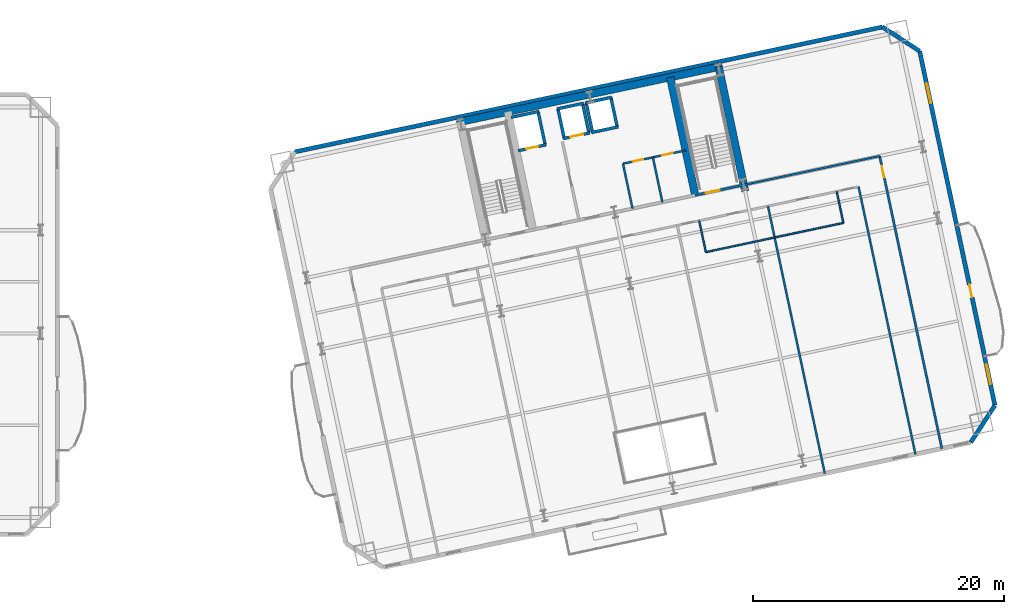
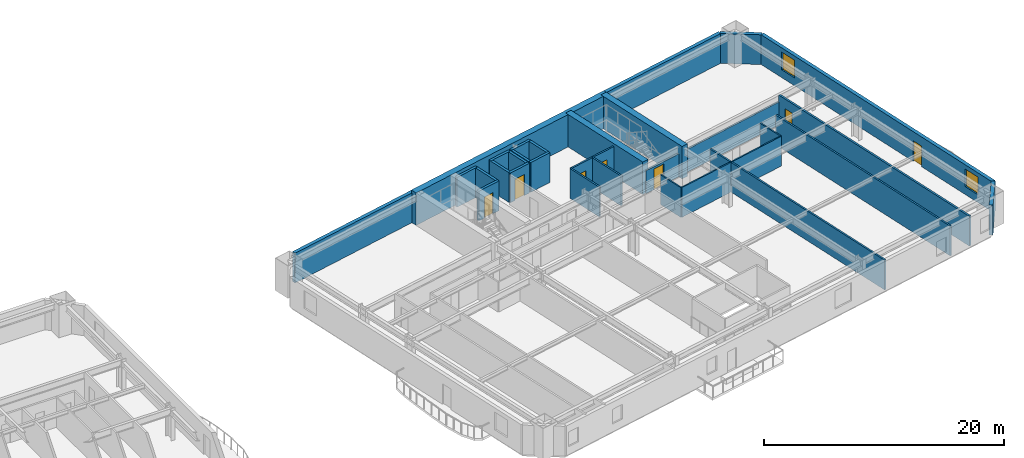
# One storey, part 9 of 17: 30 walls, 7 doors, 2 windows, 9 openings.
"""IFC4 building model written with IfcOpenShell, lengths in metres."""

from ifc_helpers import new_model, si_unit, direction, frame, frame_2d, origin, place, context, subcontext, project, spatial, rectangle, extrude, material, layer, layer_set, type_object, element, fill, save


model = new_model("IFC4")

# Units and contexts
model_context = context("Model", 3, precision=1e-05, world=origin(), true_north=direction((0.0, 1.0)))
body_context = subcontext(model_context, "Body", "Model", "MODEL_VIEW")
ifc_project = project(units=[si_unit("LENGTHUNIT", "METRE"), si_unit("AREAUNIT", "SQUARE_METRE"), si_unit("VOLUMEUNIT", "CUBIC_METRE"), si_unit("PLANEANGLEUNIT", "RADIAN"), si_unit("MASSUNIT", "GRAM", prefix="KILO")], contexts=[model_context])

# Site, building, storey
site_placement = place(None, origin())
site = spatial("IfcSite", under=ifc_project, at=site_placement, CompositionType="ELEMENT")
building_placement = place(site_placement, origin())
building = spatial("IfcBuilding", under=site, at=building_placement, Name="Haevon Station Towers", CompositionType="ELEMENT")
storey_placement = place(building_placement, frame((0.0, 0.0, 33.89990234375)))
storey = spatial("IfcBuildingStorey", under=building, at=storey_placement, Name="L07", CompositionType="ELEMENT", Elevation=33.89990234375)

# Wall, opening, door
ifc_material_1 = material(Name="Gypsum board on steel stud", Category="steel")
ifc_layer_1 = layer(ifc_material_1, 0.179931640625)
ifc_layer_set_1 = layer_set([ifc_layer_1], Name="Gypsum board on steel stud")
wall_type_1 = type_object("IfcWallType", Name="WL-ACU180", PredefinedType="PARTITIONING", material=ifc_layer_set_1)
wall_1_placement = place(storey_placement, frame((135.05029296875, 20.826171875, 0.0), z_axis=(0.0, 0.0, 1.0), x_axis=(-0.207910528946, 0.978147847697, 0.0)))
wall_1 = element("IfcWall", 1, at=wall_1_placement, inside=storey, type_object=wall_type_1, Name="WL-T2PT-L07-06", PredefinedType="PARTITIONING", context=body_context, shape_type="SweptSolid", body=[
    extrude(rectangle(XDim=23.7998046875, YDim=0.179931640625, at=frame_2d((11.89990234375, 0.0))), origin(), (0.0, 0.0, 1.0), 3.030029296875),
])
opening_1_placement = place(wall_1_placement, frame((22.070068359375, 0.0, 0.0)))
opening_1 = element("IfcOpeningElement", 2, at=opening_1_placement, cuts=wall_1, Name="Opening DR-WL-T2PT-L07-06-01", PredefinedType="OPENING", context=body_context, shape_type="SweptSolid", body=[
    extrude(rectangle(XDim=0.89990234375, YDim=2.050048828125, at=frame_2d((0.449951171875, 1.02490234375))), frame((0.0, 0.099853515625, 0.0), z_axis=(0.0, -1.0, 0.0), x_axis=(1.0, 0.0, 0.0)), (0.0, 0.0, 1.0), 0.199951171875),
])
ifc_material_2 = material(Name="Engineered oak timber", Category="wood")
door_type_1 = type_object("IfcDoorType", Name="DR-INT-900", OperationType="NOTDEFINED", PredefinedType="DOOR", material=ifc_material_2)
door_1_placement = place(opening_1_placement, origin())
door_1 = element("IfcDoor", 3, at=door_1_placement, inside=storey, type_object=door_type_1, Name="L07 Tower 2 Room Door 6-1", OperationType="SINGLE_SWING_LEFT", OverallHeight=2.050048828125, OverallWidth=0.89990234375, PredefinedType="DOOR", context=body_context, shape_type="SweptSolid", body=[
    extrude(rectangle(XDim=0.89990234375, YDim=2.050048828125, at=frame_2d((0.449951171875, 1.02490234375))), frame((0.0, 0.02490234375, 0.0), z_axis=(0.0, -1.0, 0.0), x_axis=(1.0, 0.0, 0.0)), (0.0, 0.0, 1.0), 0.050048828125),
])
fill(opening_1, door_1)

ifc_layer_2 = layer(ifc_material_1, 0.199951171875)
ifc_layer_set_2 = layer_set([ifc_layer_2], Name="Gypsum board on steel stud")
wall_type_2 = type_object("IfcWallType", Name="WL-COR200", PredefinedType="PARTITIONING", material=ifc_layer_set_2)
wall_2_placement = place(storey_placement, frame((115.4296875, 40.9873046875, 0.0), z_axis=(0.0, 0.0, 1.0), x_axis=(0.978146596989, 0.207916413008, 0.0)))
wall_2 = element("IfcWall", 4, at=wall_2_placement, inside=storey, type_object=wall_type_2, Name="WL-ST-ST4-L07", PredefinedType="PARTITIONING", context=body_context, shape_type="SweptSolid", body=[
    extrude(rectangle(XDim=3.9501953125, YDim=0.199951171875, at=frame_2d((1.97509765625, 0.0))), origin(), (0.0, 0.0, 1.0), 2.330078125),
])
opening_2_placement = place(wall_2_placement, frame((0.85009765625, 0.0, 0.0)))
opening_2 = element("IfcOpeningElement", 5, at=opening_2_placement, cuts=wall_2, Name="Opening DR-ST-ST4-L07", PredefinedType="OPENING", context=body_context, shape_type="SweptSolid", body=[
    extrude(rectangle(XDim=1.1201171875, YDim=2.10009765625, at=frame_2d((0.56005859375, 1.050048828125))), frame((0.0, 0.10986328125, 0.0), z_axis=(0.0, -1.0, 0.0), x_axis=(1.0, 0.0, 0.0)), (0.0, 0.0, 1.0), 0.219970703125),
])
door_type_2 = type_object("IfcDoorType", Name="DR-ST-1120", OperationType="NOTDEFINED", PredefinedType="DOOR", material=ifc_material_2)
door_2_placement = place(opening_2_placement, origin())
door_2 = element("IfcDoor", 6, at=door_2_placement, inside=storey, type_object=door_type_2, Name="L07 Escape Stair ST4 Fire Door", OperationType="SINGLE_SWING_LEFT", OverallHeight=2.10009765625, OverallWidth=1.1201171875, PredefinedType="DOOR", context=body_context, shape_type="SweptSolid", body=[
    extrude(rectangle(XDim=1.1201171875, YDim=2.10009765625, at=frame_2d((0.56005859375, 1.050048828125))), frame((0.0, 0.02490234375, 0.0), z_axis=(0.0, -1.0, 0.0), x_axis=(1.0, 0.0, 0.0)), (0.0, 0.0, 1.0), 0.050048828125),
])
fill(opening_2, door_2)

# Walls
ifc_material_3 = material(Name="Concrete C60/75", Category="concrete")
ifc_layer_3 = layer(ifc_material_3, 0.60009765625)
ifc_layer_set_3 = layer_set([ifc_layer_3], Name="Concrete C60/75")
wall_type_3 = type_object("IfcWallType", Name="WL-CR600", PredefinedType="SHEAR", material=ifc_layer_set_3)
wall_3_placement = place(storey_placement, frame((96.462890625, 46.770263671875, 0.0), z_axis=(0.0, 0.0, 1.0), x_axis=(0.978147272959, 0.207913232873, 0.0)))
element("IfcWall", 7, at=wall_3_placement, inside=storey, type_object=wall_type_3, Name="WL-T2CR-L07-N", PredefinedType="SHEAR", context=body_context, shape_type="SweptSolid", body=[
    extrude(rectangle(XDim=21.60009765625, YDim=0.60009765625, at=frame_2d((10.800048828125, 0.0))), origin(), (0.0, 0.0, 1.0), 3.300048828125),
])
wall_4_placement = place(storey_placement, frame((119.401611328125, 41.2998046875, 0.0), z_axis=(0.0, 0.0, 1.0), x_axis=(-0.207904342798, 0.978149162575, 0.0)))
element("IfcWall", 8, at=wall_4_placement, inside=storey, type_object=wall_type_3, Name="WL-T2CR-L07-E", PredefinedType="SHEAR", context=body_context, shape_type="SweptSolid", body=[
    extrude(rectangle(XDim=10.1201171875, YDim=0.60009765625, at=frame_2d((5.06005859375, 0.0))), origin(), (0.0, 0.0, 1.0), 3.300048828125),
])
wall_5_placement = place(storey_placement, frame((115.4296875, 40.9873046875, 0.0), z_axis=(0.0, 0.0, 1.0), x_axis=(-0.207903162969, 0.978149413345, 0.0)))
element("IfcWall", 9, at=wall_5_placement, inside=storey, type_object=wall_type_3, Name="WL-T2CR-L07-M2", PredefinedType="SHEAR", context=body_context, shape_type="SweptSolid", body=[
    extrude(rectangle(XDim=9.599853515625, YDim=0.60009765625, at=frame_2d((4.7998046875, 0.0))), origin(), (0.0, 0.0, 1.0), 3.300048828125),
])
ifc_material_4 = material(Name="Precast concrete C45/55", Category="concrete")
ifc_layer_4 = layer(ifc_material_4, 0.340087890625)
ifc_layer_set_4 = layer_set([ifc_layer_4], Name="Precast concrete C45/55")
wall_type_4 = type_object("IfcWallType", Name="WL-EXT-PIER340", PredefinedType="SOLIDWALL", material=ifc_layer_set_4)
wall_6_placement = place(storey_placement, frame((83.566162109375, 44.43798828125, 0.0), z_axis=(0.0, 0.0, 1.0), x_axis=(0.97814833523, 0.207908235256, 0.0)))
element("IfcWall", 10, at=wall_6_placement, inside=storey, type_object=wall_type_4, Name="WL-T2-L07-N", PredefinedType="SOLIDWALL", context=body_context, shape_type="SweptSolid", body=[
    extrude(rectangle(XDim=47.7998046875, YDim=0.340087890625, at=frame_2d((23.89990234375, 0.0))), origin(), (0.0, 0.0, 1.0), 3.030029296875),
])
wall_7_placement = place(storey_placement, frame((130.321533203125, 54.3759765625, 0.0), z_axis=(0.0, 0.0, 1.0), x_axis=(0.838672309694, -0.544636352948, 0.0)))
element("IfcWall", 11, at=wall_7_placement, inside=storey, type_object=wall_type_4, Name="WL-T2-L07-NEC", PredefinedType="SOLIDWALL", context=body_context, shape_type="SweptSolid", body=[
    extrude(rectangle(XDim=3.535400390625, YDim=0.340087890625, at=frame_2d((1.767578125, 0.0))), origin(), (0.0, 0.0, 1.0), 3.030029296875),
])

# Wall, openings, door, windows
wall_8_placement = place(storey_placement, frame((133.28662109375, 52.450439453125, 0.0), z_axis=(0.0, 0.0, 1.0), x_axis=(0.207909549752, -0.978148055829, 0.0)))
wall_8 = element("IfcWall", 12, at=wall_8_placement, inside=storey, type_object=wall_type_4, Name="WL-T2-L07-E", PredefinedType="SOLIDWALL", context=body_context, shape_type="SweptSolid", body=[
    extrude(rectangle(XDim=28.800048828125, YDim=0.340087890625, at=frame_2d((14.39990234375, 0.0))), origin(), (0.0, 0.0, 1.0), 3.030029296875),
])
opening_3_placement = place(wall_8_placement, frame((18.97509765625, 0.0, 0.0)))
opening_3 = element("IfcOpeningElement", 13, at=opening_3_placement, cuts=wall_8, Name="Opening DR-T2-SCAL-L07-E", PredefinedType="OPENING", context=body_context, shape_type="SweptSolid", body=[
    extrude(rectangle(XDim=1.050048828125, YDim=2.10009765625, at=frame_2d((0.52490234375, 1.050048828125))), frame((0.0, 0.179931640625, 0.0), z_axis=(0.0, -1.0, 0.0), x_axis=(1.0, 0.0, 0.0)), (0.0, 0.0, 1.0), 0.360107421875),
])
opening_4_placement = place(wall_8_placement, frame((2.628662109375, 0.0, 0.800048828125)))
opening_4 = element("IfcOpeningElement", 14, at=opening_4_placement, cuts=wall_8, Name="Opening WN-END160", PredefinedType="OPENING", context=body_context, shape_type="SweptSolid", body=[
    extrude(rectangle(XDim=1.60009765625, YDim=1.800048828125, at=frame_2d((0.800048828125, 0.89990234375))), frame((0.0, 0.179931640625, 0.0), z_axis=(0.0, -1.0, 0.0), x_axis=(1.0, 0.0, 0.0)), (0.0, 0.0, 1.0), 0.360107421875),
])
opening_5_placement = place(wall_8_placement, frame((25.485595703125, 0.0, 0.800048828125)))
opening_5 = element("IfcOpeningElement", 15, at=opening_5_placement, cuts=wall_8, Name="Opening WN-END160", PredefinedType="OPENING", context=body_context, shape_type="SweptSolid", body=[
    extrude(rectangle(XDim=1.60009765625, YDim=1.800048828125, at=frame_2d((0.800048828125, 0.89990234375))), frame((0.0, 0.179931640625, 0.0), z_axis=(0.0, -1.0, 0.0), x_axis=(1.0, 0.0, 0.0)), (0.0, 0.0, 1.0), 0.360107421875),
])
ifc_material_5 = material(Name="Thermally broken anodised aluminium and laminated safety glass", Category="aluminium")
door_type_3 = type_object("IfcDoorType", Name="DR-BALC-1050", OperationType="NOTDEFINED", PredefinedType="DOOR", material=ifc_material_5)
door_3_placement = place(opening_3_placement, origin())
door_3 = element("IfcDoor", 16, at=door_3_placement, inside=storey, type_object=door_type_3, Name="Tower 2 L07 East Scalloped Balcony Door", OperationType="SINGLE_SWING_LEFT", OverallHeight=2.10009765625, OverallWidth=1.050048828125, PredefinedType="DOOR", context=body_context, shape_type="SweptSolid", body=[
    extrude(rectangle(XDim=1.050048828125, YDim=2.10009765625, at=frame_2d((0.52490234375, 1.050048828125))), frame((0.0, 0.02490234375, 0.0), z_axis=(0.0, -1.0, 0.0), x_axis=(1.0, 0.0, 0.0)), (0.0, 0.0, 1.0), 0.050048828125),
])
fill(opening_3, door_3)
ifc_material_6 = material(Name="Low-E triple glazing in thermally broken aluminium", Category="aluminium")
window_type = type_object("IfcWindowType", Name="WN-END160", PartitioningType="SINGLE_PANEL", PredefinedType="WINDOW", material=ifc_material_6)
window_1_placement = place(opening_4_placement, origin())
window_1 = element("IfcWindow", 17, at=window_1_placement, inside=storey, type_object=window_type, Name="WN-T2-L07-E01", OverallHeight=1.800048828125, OverallWidth=1.60009765625, PartitioningType="SINGLE_PANEL", PredefinedType="WINDOW", context=body_context, shape_type="SweptSolid", body=[
    extrude(rectangle(XDim=1.60009765625, YDim=1.800048828125, at=frame_2d((0.800048828125, 0.89990234375))), frame((0.0, 0.030029296875, 0.0), z_axis=(0.0, -1.0, 0.0), x_axis=(1.0, 0.0, 0.0)), (0.0, 0.0, 1.0), 0.06005859375),
])
fill(opening_4, window_1)
window_2_placement = place(opening_5_placement, origin())
window_2 = element("IfcWindow", 18, at=window_2_placement, inside=storey, type_object=window_type, Name="WN-T2-L07-E02", OverallHeight=1.800048828125, OverallWidth=1.60009765625, PartitioningType="SINGLE_PANEL", PredefinedType="WINDOW", context=body_context, shape_type="SweptSolid", body=[
    extrude(rectangle(XDim=1.60009765625, YDim=1.800048828125, at=frame_2d((0.800048828125, 0.89990234375))), frame((0.0, 0.030029296875, 0.0), z_axis=(0.0, -1.0, 0.0), x_axis=(1.0, 0.0, 0.0)), (0.0, 0.0, 1.0), 0.06005859375),
])
fill(opening_5, window_2)

# Walls
wall_9_placement = place(storey_placement, frame((139.2744140625, 24.27978515625, 0.0), z_axis=(0.0, 0.0, 1.0), x_axis=(-0.544636352948, -0.838672309694, 0.0)))
element("IfcWall", 19, at=wall_9_placement, inside=storey, type_object=wall_type_4, Name="WL-T2-L07-SEC", PredefinedType="SOLIDWALL", context=body_context, shape_type="SweptSolid", body=[
    extrude(rectangle(XDim=3.535400390625, YDim=0.340087890625, at=frame_2d((1.767578125, 0.0))), origin(), (0.0, 0.0, 1.0), 3.030029296875),
])
ifc_layer_5 = layer(ifc_material_1, 0.125)
ifc_layer_set_5 = layer_set([ifc_layer_5], Name="Gypsum board on steel stud")
wall_type_5 = type_object("IfcWallType", Name="WL-PRT125", PredefinedType="PARTITIONING", material=ifc_layer_set_5)
wall_10_placement = place(storey_placement, frame((116.274658203125, 36.464111328125, 0.0), z_axis=(0.0, 0.0, 1.0), x_axis=(0.978148641405, 0.207906794785, 0.0)))
element("IfcWall", 20, at=wall_10_placement, inside=storey, type_object=wall_type_5, Name="WL-T2PT-L07-17", PredefinedType="PARTITIONING", context=body_context, shape_type="SweptSolid", body=[
    extrude(rectangle(XDim=5.591796875, YDim=0.125, at=frame_2d((2.7958984375, 0.0))), origin(), (0.0, 0.0, 1.0), 3.030029296875),
])
wall_11_placement = place(storey_placement, frame((116.274658203125, 36.464111328125, 0.0), z_axis=(0.0, 0.0, 1.0), x_axis=(-0.207940050407, 0.978141572287, 0.0)))
element("IfcWall", 21, at=wall_11_placement, inside=storey, type_object=wall_type_5, Name="WL-T2PT-L07-18", PredefinedType="PARTITIONING", context=body_context, shape_type="SweptSolid", body=[
    extrude(rectangle(XDim=2.550048828125, YDim=0.125, at=frame_2d((1.27490234375, 0.0))), origin(), (0.0, 0.0, 1.0), 3.030029296875),
])
wall_12_placement = place(storey_placement, frame((121.744384765625, 37.626708984375, 0.0), z_axis=(0.0, 0.0, 1.0), x_axis=(0.978150528478, 0.207897916385, 0.0)))
element("IfcWall", 22, at=wall_12_placement, inside=storey, type_object=wall_type_5, Name="WL-T2PT-L07-20", PredefinedType="PARTITIONING", context=body_context, shape_type="SweptSolid", body=[
    extrude(rectangle(XDim=5.592041015625, YDim=0.125, at=frame_2d((2.7958984375, 0.0))), origin(), (0.0, 0.0, 1.0), 3.030029296875),
])
wall_13_placement = place(storey_placement, frame((127.21435546875, 38.789306640625, 0.0), z_axis=(0.0, 0.0, 1.0), x_axis=(-0.207940050407, 0.978141572287, 0.0)))
element("IfcWall", 23, at=wall_13_placement, inside=storey, type_object=wall_type_5, Name="WL-T2PT-L07-21", PredefinedType="PARTITIONING", context=body_context, shape_type="SweptSolid", body=[
    extrude(rectangle(XDim=2.550048828125, YDim=0.125, at=frame_2d((1.27490234375, 0.0))), origin(), (0.0, 0.0, 1.0), 3.030029296875),
])
ifc_layer_6 = layer(ifc_material_1, 0.159912109375)
ifc_layer_set_6 = layer_set([ifc_layer_6], Name="Gypsum board on steel stud")
wall_type_6 = type_object("IfcWallType", Name="WL-PRT160", PredefinedType="PARTITIONING", material=ifc_layer_set_6)
for number, where, z_axis, x_axis, name in (
    (24, (110.441162109375, 39.927001953125, 0.0), (0.0, 0.0, 1.0), (-0.207884354546, 0.978153410838, 0.0), "WL-T2CW-L07-01"),
    (25, (112.818115234375, 40.43212890625, 0.0), (0.0, 0.0, 1.0), (-0.207884354546, 0.978153410838, 0.0), "WL-T2CW-L07-02"),
):
    element("IfcWall", number, at=place(storey_placement, frame(where, z_axis=z_axis, x_axis=x_axis)), inside=storey, type_object=wall_type_6, Name=name, PredefinedType="PARTITIONING", context=body_context, shape_type="SweptSolid", body=[
        extrude(rectangle(XDim=3.650146484375, YDim=0.159912109375, at=frame_2d((1.8251953125, 0.0))), origin(), (0.0, 0.0, 1.0), 3.030029296875),
    ])

# Wall, openings, doors
wall_14_placement = place(storey_placement, frame((109.682373046875, 43.497314453125, 0.0), z_axis=(0.0, 0.0, 1.0), x_axis=(0.978149238447, 0.207903985835, 0.0)))
wall_14 = element("IfcWall", 26, at=wall_14_placement, inside=storey, type_object=wall_type_6, Name="WL-T2CW-L07-03", PredefinedType="PARTITIONING", context=body_context, shape_type="SweptSolid", body=[
    extrude(rectangle(XDim=5.099853515625, YDim=0.159912109375, at=frame_2d((2.5498046875, 0.0))), origin(), (0.0, 0.0, 1.0), 3.030029296875),
])
opening_6_placement = place(wall_14_placement, frame((0.81005859375, 0.0, 0.0)))
opening_6 = element("IfcOpeningElement", 27, at=opening_6_placement, cuts=wall_14, Name="Opening DR-WL-T2CW-L07-03-1", PredefinedType="OPENING", context=body_context, shape_type="SweptSolid", body=[
    extrude(rectangle(XDim=0.85009765625, YDim=2.050048828125, at=frame_2d((0.425048828125, 1.02490234375))), frame((0.0, 0.08984375, 0.0), z_axis=(0.0, -1.0, 0.0), x_axis=(1.0, 0.0, 0.0)), (0.0, 0.0, 1.0), 0.179931640625),
])
opening_7_placement = place(wall_14_placement, frame((3.179931640625, 0.0, 0.0)))
opening_7 = element("IfcOpeningElement", 28, at=opening_7_placement, cuts=wall_14, Name="Opening DR-WL-T2CW-L07-03-2", PredefinedType="OPENING", context=body_context, shape_type="SweptSolid", body=[
    extrude(rectangle(XDim=0.85009765625, YDim=2.050048828125, at=frame_2d((0.425048828125, 1.02490234375))), frame((0.0, 0.08984375, 0.0), z_axis=(0.0, -1.0, 0.0), x_axis=(1.0, 0.0, 0.0)), (0.0, 0.0, 1.0), 0.179931640625),
])
door_type_4 = type_object("IfcDoorType", Name="DR-FD30-850", OperationType="NOTDEFINED", PredefinedType="DOOR", material=ifc_material_2)
door_4_placement = place(opening_6_placement, origin())
door_4 = element("IfcDoor", 29, at=door_4_placement, inside=storey, type_object=door_type_4, Name="L07 Tower 2 Core Room Door 3-1", OperationType="SINGLE_SWING_RIGHT", OverallHeight=2.050048828125, OverallWidth=0.85009765625, PredefinedType="DOOR", context=body_context, shape_type="SweptSolid", body=[
    extrude(rectangle(XDim=0.85009765625, YDim=2.050048828125, at=frame_2d((0.425048828125, 1.02490234375))), frame((0.0, 0.02490234375, 0.0), z_axis=(0.0, -1.0, 0.0), x_axis=(1.0, 0.0, 0.0)), (0.0, 0.0, 1.0), 0.050048828125),
])
fill(opening_6, door_4)
door_5_placement = place(opening_7_placement, origin())
door_5 = element("IfcDoor", 30, at=door_5_placement, inside=storey, type_object=door_type_4, Name="L07 Tower 2 Core Room Door 3-2", OperationType="SINGLE_SWING_LEFT", OverallHeight=2.050048828125, OverallWidth=0.85009765625, PredefinedType="DOOR", context=body_context, shape_type="SweptSolid", body=[
    extrude(rectangle(XDim=0.85009765625, YDim=2.050048828125, at=frame_2d((0.425048828125, 1.02490234375))), frame((0.0, 0.02490234375, 0.0), z_axis=(0.0, -1.0, 0.0), x_axis=(1.0, 0.0, 0.0)), (0.0, 0.0, 1.0), 0.050048828125),
])
fill(opening_7, door_5)

# Walls
wall_15_placement = place(storey_placement, frame((132.947265625, 20.379150390625, 0.0), z_axis=(0.0, 0.0, 1.0), x_axis=(-0.207907487947, 0.978148494072, 0.0)))
element("IfcWall", 31, at=wall_15_placement, inside=storey, type_object=wall_type_6, Name="WL-T2PT-L07-02", PredefinedType="PARTITIONING", context=body_context, shape_type="SweptSolid", body=[
    extrude(rectangle(XDim=21.75, YDim=0.159912109375, at=frame_2d((10.875, 0.0))), origin(), (0.0, 0.0, 1.0), 3.030029296875),
])
wall_16_placement = place(storey_placement, frame((119.29345703125, 41.80859375, 0.0), z_axis=(0.0, 0.0, 1.0), x_axis=(0.978148967098, 0.207905262477, 0.0)))
element("IfcWall", 32, at=wall_16_placement, inside=storey, type_object=wall_type_6, Name="WL-T2PT-L07-04", PredefinedType="PARTITIONING", context=body_context, shape_type="SweptSolid", body=[
    extrude(rectangle(XDim=11.050048828125, YDim=0.159912109375, at=frame_2d((5.52490234375, 0.0))), origin(), (0.0, 0.0, 1.0), 2.330078125),
])
wall_17_placement = place(storey_placement, frame((125.736328125, 18.846435546875, 0.0), z_axis=(0.0, 0.0, 1.0), x_axis=(-0.207907487947, 0.978148494072, 0.0)))
element("IfcWall", 33, at=wall_17_placement, inside=storey, type_object=wall_type_6, Name="WL-T2PT-L07-19", PredefinedType="PARTITIONING", context=body_context, shape_type="SweptSolid", body=[
    extrude(rectangle(XDim=21.75, YDim=0.159912109375, at=frame_2d((10.875, 0.0))), origin(), (0.0, 0.0, 1.0), 3.030029296875),
])

# Wall, opening, door
ifc_material_7 = material(Name="Concrete C40/50", Category="concrete")
ifc_layer_7 = layer(ifc_material_7, 0.239990234375)
ifc_layer_set_7 = layer_set([ifc_layer_7], Name="Concrete C40/50")
wall_type_7 = type_object("IfcWallType", Name="WL-SHF240", PredefinedType="PARTITIONING", material=ifc_layer_set_7)
wall_18_placement = place(storey_placement, frame((101.353759765625, 44.538330078125, 0.0), z_axis=(0.0, 0.0, 1.0), x_axis=(0.978141002414, 0.207942731049, 0.0)))
wall_18 = element("IfcWall", 34, at=wall_18_placement, inside=storey, type_object=wall_type_7, Name="WL-SHF-FL2-L07", PredefinedType="PARTITIONING", context=body_context, shape_type="SweptSolid", body=[
    extrude(rectangle(XDim=2.260009765625, YDim=0.239990234375, at=frame_2d((1.1298828125, 0.0))), origin(), (0.0, 0.0, 1.0), 3.030029296875),
])
opening_8_placement = place(wall_18_placement, frame((0.655029296875, 0.0, 0.0)))
opening_8 = element("IfcOpeningElement", 35, at=opening_8_placement, cuts=wall_18, Name="Opening LD-FL2-L07", PredefinedType="OPENING", context=body_context, shape_type="SweptSolid", body=[
    extrude(rectangle(XDim=0.949951171875, YDim=2.14990234375, at=frame_2d((0.47509765625, 1.074951171875))), frame((0.0, 0.1298828125, 0.0), z_axis=(0.0, -1.0, 0.0), x_axis=(1.0, 0.0, 0.0)), (0.0, 0.0, 1.0), 0.260009765625),
])
ifc_material_8 = material(Name="Stainless steel and rated core", Category="steel")
door_type_5 = type_object("IfcDoorType", Name="LD-FL950", OperationType="SLIDING_TO_LEFT", PredefinedType="DOOR", material=ifc_material_8)
door_6_placement = place(opening_8_placement, origin())
door_6 = element("IfcDoor", 36, at=door_6_placement, inside=storey, type_object=door_type_5, Name="L07 Lift FL2 Sliding Landing Door", OperationType="SLIDING_TO_LEFT", OverallHeight=2.14990234375, OverallWidth=0.949951171875, PredefinedType="DOOR", context=body_context, shape_type="SweptSolid", body=[
    extrude(rectangle(XDim=0.949951171875, YDim=2.14990234375, at=frame_2d((0.47509765625, 1.074951171875))), frame((0.0, 0.02490234375, 0.0), z_axis=(0.0, -1.0, 0.0), x_axis=(1.0, 0.0, 0.0)), (0.0, 0.0, 1.0), 0.050048828125),
])
fill(opening_8, door_6)

# Walls
wall_19_placement = place(storey_placement, frame((100.79248046875, 47.179443359375, 0.0), z_axis=(0.0, 0.0, 1.0), x_axis=(0.978162968872, 0.207839376268, 0.0)))
element("IfcWall", 37, at=wall_19_placement, inside=storey, type_object=wall_type_7, Name="WL-SHF-FL2-L07-N", PredefinedType="PARTITIONING", context=body_context, shape_type="SweptSolid", body=[
    extrude(rectangle(XDim=2.260009765625, YDim=0.239990234375, at=frame_2d((1.1298828125, 0.0))), origin(), (0.0, 0.0, 1.0), 3.030029296875),
])
wall_20_placement = place(storey_placement, frame((103.486328125, 44.99169921875, 0.0), z_axis=(0.0, 0.0, 1.0), x_axis=(-0.207978798957, 0.978133334052, 0.0)))
element("IfcWall", 38, at=wall_20_placement, inside=storey, type_object=wall_type_7, Name="WL-SHF-FL2-L07-E", PredefinedType="PARTITIONING", context=body_context, shape_type="SweptSolid", body=[
    extrude(rectangle(XDim=2.699951171875, YDim=0.239990234375, at=frame_2d((1.35009765625, 0.0))), origin(), (0.0, 0.0, 1.0), 3.030029296875),
])

# Wall, opening, door
wall_21_placement = place(storey_placement, frame((104.931396484375, 45.503173828125, 0.0), z_axis=(0.0, 0.0, 1.0), x_axis=(0.97813528961, 0.207969601673, 0.0)))
wall_21 = element("IfcWall", 39, at=wall_21_placement, inside=storey, type_object=wall_type_7, Name="WL-SHF-PL7-L07", PredefinedType="PARTITIONING", context=body_context, shape_type="SweptSolid", body=[
    extrude(rectangle(XDim=2.159912109375, YDim=0.239990234375, at=frame_2d((1.080078125, 0.0))), origin(), (0.0, 0.0, 1.0), 3.030029296875),
])
opening_9_placement = place(wall_21_placement, frame((0.554931640625, 0.0, 0.0)))
opening_9 = element("IfcOpeningElement", 40, at=opening_9_placement, cuts=wall_21, Name="Opening LD-PL7-L07", PredefinedType="OPENING", context=body_context, shape_type="SweptSolid", body=[
    extrude(rectangle(XDim=1.050048828125, YDim=2.14990234375, at=frame_2d((0.52490234375, 1.074951171875))), frame((0.0, 0.1298828125, 0.0), z_axis=(0.0, -1.0, 0.0), x_axis=(1.0, 0.0, 0.0)), (0.0, 0.0, 1.0), 0.260009765625),
])
door_type_6 = type_object("IfcDoorType", Name="LD-PL1050", OperationType="SLIDING_TO_LEFT", PredefinedType="DOOR", material=ifc_material_8)
door_7_placement = place(opening_9_placement, origin())
door_7 = element("IfcDoor", 41, at=door_7_placement, inside=storey, type_object=door_type_6, Name="L07 Lift PL7 Sliding Landing Door", OperationType="SLIDING_TO_LEFT", OverallHeight=2.14990234375, OverallWidth=1.050048828125, PredefinedType="DOOR", context=body_context, shape_type="SweptSolid", body=[
    extrude(rectangle(XDim=1.050048828125, YDim=2.14990234375, at=frame_2d((0.52490234375, 1.074951171875))), frame((0.0, 0.02490234375, 0.0), z_axis=(0.0, -1.0, 0.0), x_axis=(1.0, 0.0, 0.0)), (0.0, 0.0, 1.0), 0.050048828125),
])
fill(opening_9, door_7)

# Walls
wall_22_placement = place(storey_placement, frame((104.432373046875, 47.850830078125, 0.0), z_axis=(0.0, 0.0, 1.0), x_axis=(0.978158276388, 0.207861459473, 0.0)))
element("IfcWall", 42, at=wall_22_placement, inside=storey, type_object=wall_type_7, Name="WL-SHF-PL7-L07-N", PredefinedType="PARTITIONING", context=body_context, shape_type="SweptSolid", body=[
    extrude(rectangle(XDim=2.159912109375, YDim=0.239990234375, at=frame_2d((1.080078125, 0.0))), origin(), (0.0, 0.0, 1.0), 3.030029296875),
])
wall_23_placement = place(storey_placement, frame((105.009765625, 45.519775390625, 0.0), z_axis=(0.0, 0.0, 1.0), x_axis=(-0.207917150959, 0.978146440129, 0.0)))
element("IfcWall", 43, at=wall_23_placement, inside=storey, type_object=wall_type_7, Name="WL-SHF-PL7-L07-W", PredefinedType="PARTITIONING", context=body_context, shape_type="SweptSolid", body=[
    extrude(rectangle(XDim=2.400146484375, YDim=0.239990234375, at=frame_2d((1.2001953125, 0.0))), origin(), (0.0, 0.0, 1.0), 3.030029296875),
])
wall_24_placement = place(storey_placement, frame((106.966064453125, 45.935791015625, 0.0), z_axis=(0.0, 0.0, 1.0), x_axis=(-0.207937840262, 0.978142042133, 0.0)))
element("IfcWall", 44, at=wall_24_placement, inside=storey, type_object=wall_type_7, Name="WL-SHF-PL7-L07-E", PredefinedType="PARTITIONING", context=body_context, shape_type="SweptSolid", body=[
    extrude(rectangle(XDim=2.39990234375, YDim=0.239990234375, at=frame_2d((1.199951171875, 0.0))), origin(), (0.0, 0.0, 1.0), 3.030029296875),
])
for number, where, z_axis, x_axis, name in (
    (45, (107.18115234375, 45.9814453125, 0.0), (0.0, 0.0, 1.0), (0.97813528961, 0.207969601673, 0.0), "WL-SHF-PL8-L07"),
    (46, (106.68212890625, 48.3291015625, 0.0), (0.0, 0.0, 1.0), (0.978158276388, 0.207861459473, 0.0), "WL-SHF-PL8-L07-N"),
):
    element("IfcWall", number, at=place(storey_placement, frame(where, z_axis=z_axis, x_axis=x_axis)), inside=storey, type_object=wall_type_7, Name=name, PredefinedType="PARTITIONING", context=body_context, shape_type="SweptSolid", body=[
        extrude(rectangle(XDim=2.159912109375, YDim=0.239990234375, at=frame_2d((1.080078125, 0.0))), origin(), (0.0, 0.0, 1.0), 3.030029296875),
    ])
for number, where, z_axis, x_axis, name in (
    (47, (107.259521484375, 45.998046875, 0.0), (0.0, 0.0, 1.0), (-0.207917150959, 0.978146440129, 0.0), "WL-SHF-PL8-L07-W"),
    (48, (109.2158203125, 46.413818359375, 0.0), (0.0, 0.0, 1.0), (-0.207917150959, 0.978146440129, 0.0), "WL-SHF-PL8-L07-E"),
):
    element("IfcWall", number, at=place(storey_placement, frame(where, z_axis=z_axis, x_axis=x_axis)), inside=storey, type_object=wall_type_7, Name=name, PredefinedType="PARTITIONING", context=body_context, shape_type="SweptSolid", body=[
        extrude(rectangle(XDim=2.400146484375, YDim=0.239990234375, at=frame_2d((1.2001953125, 0.0))), origin(), (0.0, 0.0, 1.0), 3.030029296875),
    ])

save(model, "model.ifc")
